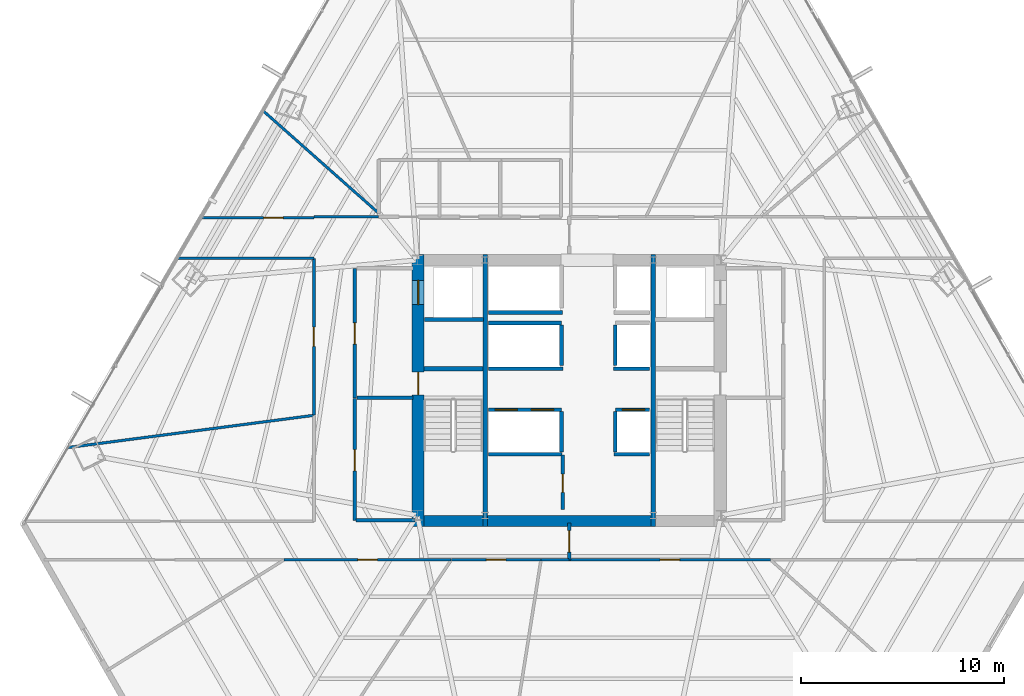
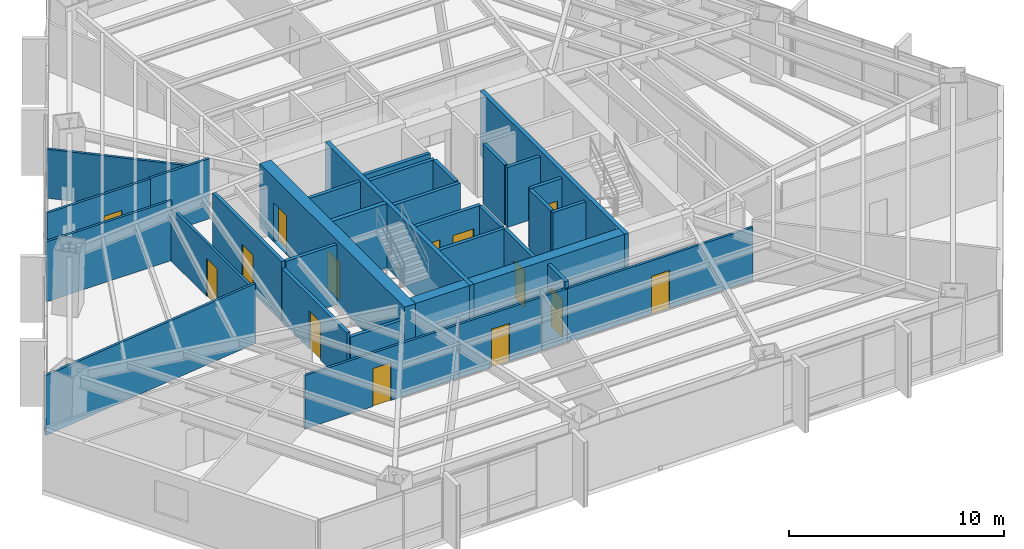
# One storey, part 29 of 34: 35 walls, 14 doors, 14 openings.
"""IFC4 building model written with IfcOpenShell, lengths in metres."""

import ifcopenshell
import ifcopenshell.guid

model = None  # the IFC model being written
_history = None  # IfcOwnerHistory: only IFC2X3 demands one
_inside = {}  # id of a spatial element -> (the spatial element, [elements in it])
_under = {}  # id of a project, library or spatial element -> (it, [spatial elements below it])
_declared = {}  # id of a project -> (the project, [libraries it declares])
_typed = {}  # id of a type object -> (the type object, [elements of that type])
_made_of = {}  # id of a material, layer set ... -> (it, [elements and type objects made of it])


def new_model(schema):
    """Start an empty IFC model of exactly this schema.

    Asked for "IFC4X3", IfcOpenShell would pick the latest addendum, in which some entities
    have other attributes; the version numbers below select the first issue.
    IFC2X3 requires an IfcOwnerHistory on every rooted entity: one is made here for all.
    """
    global model, _history
    if schema == "IFC4X3":
        model = ifcopenshell.file(schema_version=(4, 3, 0, 0))
    else:
        model = ifcopenshell.file(schema=schema)
    _inside.clear()
    _under.clear()
    _declared.clear()
    _typed.clear()
    _made_of.clear()
    _history = None
    if model.schema == "IFC2X3":
        org = make("IfcOrganization", Name="unknown")
        user = make(
            "IfcPersonAndOrganization",
            ThePerson=make("IfcPerson", FamilyName="unknown"),
            TheOrganization=org,
        )
        app = make(
            "IfcApplication",
            ApplicationDeveloper=org,
            Version="unknown",
            ApplicationFullName="unknown",
            ApplicationIdentifier="unknown",
        )
        _history = make(
            "IfcOwnerHistory",
            OwningUser=user,
            OwningApplication=app,
            ChangeAction="ADDED",
            CreationDate=0,
        )
    return model


def make(cls, **values):
    """One entity of the class cls with the attributes given. An attribute that is None is left unset."""
    return model.create_entity(
        cls, **{name: value for name, value in values.items() if value is not None}
    )


def rooted(cls, **values):
    """An entity with a GlobalId (a new one), such as an element, a storey or a relation."""
    return make(cls, GlobalId=ifcopenshell.guid.new(), OwnerHistory=_history, **values)


def si_unit(unit_type, name, prefix=None):
    """IfcSIUnit, for example si_unit("LENGTHUNIT", "METRE", prefix="MILLI")."""
    return make("IfcSIUnit", UnitType=unit_type, Prefix=prefix, Name=name)


def assignment(units):
    """IfcUnitAssignment: the units of a project."""
    return None if units is None else make("IfcUnitAssignment", Units=units)


def point(xyz):
    """IfcCartesianPoint."""
    return None if xyz is None else make("IfcCartesianPoint", Coordinates=xyz)


def direction(xyz):
    """IfcDirection."""
    return None if xyz is None else make("IfcDirection", DirectionRatios=xyz)


def frame(location, z_axis=None, x_axis=None):
    """IfcAxis2Placement3D, a coordinate frame: its origin and axes. An axis left out is left unset."""
    return make(
        "IfcAxis2Placement3D",
        Location=point(location),
        Axis=direction(z_axis),
        RefDirection=direction(x_axis),
    )


def frame_2d(location, x_axis=None):
    """IfcAxis2Placement2D, a coordinate frame in the plane: its origin and x axis."""
    return make(
        "IfcAxis2Placement2D", Location=point(location), RefDirection=direction(x_axis)
    )


def origin():
    """The frame at (0, 0, 0) with its axes left unset."""
    return frame((0.0, 0.0, 0.0))


def place(relative_to, where):
    """IfcLocalPlacement: puts the frame where relative to a parent placement (None: the world)."""
    return make(
        "IfcLocalPlacement", PlacementRelTo=relative_to, RelativePlacement=where
    )


def context(
    kind, dimensions, precision=None, world=None, true_north=None, identifier=None
):
    """IfcGeometricRepresentationContext, for example the 3D "Model" context."""
    return make(
        "IfcGeometricRepresentationContext",
        ContextIdentifier=identifier,
        ContextType=kind,
        CoordinateSpaceDimension=dimensions,
        Precision=precision,
        WorldCoordinateSystem=world,
        TrueNorth=true_north,
    )


def subcontext(parent, identifier, kind, view, scale=None):
    """IfcGeometricRepresentationSubContext, for example "Body" below "Model"."""
    return make(
        "IfcGeometricRepresentationSubContext",
        ContextIdentifier=identifier,
        ContextType=kind,
        ParentContext=parent,
        TargetScale=scale,
        TargetView=view,
    )


def project(units=None, contexts=None):
    """IfcProject with its units and contexts."""
    return rooted(
        "IfcProject",
        Name="project",
        RepresentationContexts=contexts,
        UnitsInContext=assignment(units),
    )


def spatial(cls, under=None, at=None, **own):
    """A site, building, storey or space (cls), placed at a placement, below another one or the project."""
    s = rooted(cls, ObjectPlacement=at, **own)
    if under is not None:
        _under.setdefault(under.id(), (under, []))[1].append(s)
    return s


def profile(cls, at=None, kind="AREA", **sizes):
    """A parametric profile (cls). Its sizes go by their IFC names, for example OverallWidth=200.0."""
    return make(cls, ProfileType=kind, Position=at, **sizes)


def rectangle(**sizes):
    """IfcRectangleProfileDef."""
    return profile("IfcRectangleProfileDef", **sizes)


def extrude(swept, where, along, depth):
    """IfcExtrudedAreaSolid: the profile swept, set in the frame where, extruded along a direction by depth."""
    return make(
        "IfcExtrudedAreaSolid",
        SweptArea=swept,
        Position=where,
        ExtrudedDirection=direction(along),
        Depth=depth,
    )


def shape(context_of_items, identifier, shape_type, items):
    """IfcShapeRepresentation: the items that make up one representation, for example the "Body"."""
    return make(
        "IfcShapeRepresentation",
        ContextOfItems=context_of_items,
        RepresentationIdentifier=identifier,
        RepresentationType=shape_type,
        Items=items,
    )


def material(Name=None, Category=None):
    """IfcMaterial."""
    return make("IfcMaterial", Name=Name, Category=Category)


def layer(
    of_material, thickness, ventilated=None, Name=None, Category=None, Priority=None
):
    """IfcMaterialLayer: one layer of a wall or slab, of a material (None: an air gap)."""
    return make(
        "IfcMaterialLayer",
        Material=of_material,
        LayerThickness=thickness,
        IsVentilated=ventilated,
        Name=Name,
        Category=Category,
        Priority=Priority,
    )


def layer_set(layers, Name=None):
    """IfcMaterialLayerSet."""
    return make("IfcMaterialLayerSet", MaterialLayers=layers, LayerSetName=Name)


def made_of(thing, what):
    """Note that an element or type object is made of a material, layer set ...; save() writes the relation."""
    if what is not None:
        _made_of.setdefault(what.id(), (what, []))[1].append(thing)
    return thing


def type_object(cls, material=None, **own):
    """A type object (cls), such as IfcWallType, which elements share."""
    return made_of(rooted(cls, **own), material)


def element(
    cls,
    number,
    at=None,
    inside=None,
    cuts=None,
    type_object=None,
    material=None,
    context=None,
    identifier="Body",
    shape_type=None,
    held_by="IfcProductDefinitionShape",
    body=None,
    shapes=None,
    **own,
):
    """One element of the class cls, such as IfcWall. Its Tag is "e" and its number.

    at: its placement. inside: the storey or other place that contains it. cuts: it is an
    opening in that element (IfcRelVoidsElement). A single representation is given by context,
    identifier, shape_type and body (its items); several are given by shapes. held_by: the class
    of the entity that holds the representations. save() writes the other relations.
    """
    e = rooted(cls, Tag="e%d" % number, ObjectPlacement=at, **own)
    if body is not None:
        shapes = [shape(context, identifier, shape_type, body)]
    if shapes is not None:
        e.Representation = make(held_by, Representations=shapes)
    if inside is not None:
        _inside.setdefault(inside.id(), (inside, []))[1].append(e)
    if cuts is not None:
        rooted(
            "IfcRelVoidsElement", RelatingBuildingElement=cuts, RelatedOpeningElement=e
        )
    if type_object is not None:
        _typed.setdefault(type_object.id(), (type_object, []))[1].append(e)
    return made_of(e, material)


def fill(opening, filler):
    """IfcRelFillsElement: the door or window that sits in an opening."""
    return rooted(
        "IfcRelFillsElement",
        RelatingOpeningElement=opening,
        RelatedBuildingElement=filler,
    )


def aggregate(whole, parts):
    """IfcRelAggregates: a whole, such as a stair, and the parts it consists of."""
    return rooted("IfcRelAggregates", RelatingObject=whole, RelatedObjects=parts)


def save(model, path):
    """Write the relations noted so far, then the file.

    IfcRelAggregates (storeys below a building ...), IfcRelContainedInSpatialStructure (elements
    in a storey), IfcRelDefinesByType, IfcRelAssociatesMaterial and IfcRelDeclares: one each for
    every whole, place, type object, material and project.
    """
    for whole, parts in _under.values():
        aggregate(whole, parts)
    for where, things in _inside.values():
        rooted(
            "IfcRelContainedInSpatialStructure",
            RelatedElements=things,
            RelatingStructure=where,
        )
    for kind, things in _typed.values():
        rooted("IfcRelDefinesByType", RelatedObjects=things, RelatingType=kind)
    for what, things in _made_of.values():
        rooted("IfcRelAssociatesMaterial", RelatedObjects=things, RelatingMaterial=what)
    for by, libraries in _declared.values():
        rooted("IfcRelDeclares", RelatingContext=by, RelatedDefinitions=libraries)
    model.write(path)


model = new_model("IFC4")

# Units and contexts
model_context = context("Model", 3, precision=1e-05, world=origin(), true_north=direction((0.0, 1.0)))
body_context = subcontext(model_context, "Body", "Model", "MODEL_VIEW")
ifc_project = project(units=[si_unit("LENGTHUNIT", "METRE"), si_unit("AREAUNIT", "SQUARE_METRE"), si_unit("VOLUMEUNIT", "CUBIC_METRE"), si_unit("PLANEANGLEUNIT", "RADIAN"), si_unit("MASSUNIT", "GRAM", prefix="KILO")], contexts=[model_context])

# Site, building, storey
site_placement = place(None, origin())
site = spatial("IfcSite", under=ifc_project, at=site_placement, CompositionType="ELEMENT")
building_placement = place(site_placement, origin())
building = spatial("IfcBuilding", under=site, at=building_placement, Name="Caelisora Broadcast Tower", CompositionType="ELEMENT")
storey_placement = place(building_placement, frame((0.0, 0.0, 49.5)))
storey = spatial("IfcBuildingStorey", under=building, at=storey_placement, Name="L12", CompositionType="ELEMENT", Elevation=49.5)

# Wall, openings, doors
ifc_material_1 = material(Name="Concrete 65 MPa (AS 3600 S65)", Category="concrete")
ifc_layer_1 = layer(ifc_material_1, 0.60009765625, Name="Concrete 65 MPa (AS 3600 S65)")
ifc_layer_set_1 = layer_set([ifc_layer_1], Name="Concrete 65 MPa (AS 3600 S65)")
wall_type_1 = type_object("IfcWallType", Name="CW1", PredefinedType="SHEAR", material=ifc_layer_set_1)
wall_1_placement = place(storey_placement, frame((30.5400390625, 16.85009765625, 0.0), z_axis=(0.0, 0.0, 1.0), x_axis=(0.0, 1.0, 0.0)))
wall_1 = element("IfcWall", 1, at=wall_1_placement, inside=storey, type_object=wall_type_1, Name="L12 core shear wall CW1", PredefinedType="SHEAR", context=body_context, shape_type="SweptSolid", body=[
    extrude(rectangle(XDim=13.4248046875, YDim=0.60009765625, at=frame_2d((6.71240234375, 0.0))), origin(), (0.0, 0.0, 1.0), 3.64990234375),
])
opening_1_placement = place(wall_1_placement, frame((6.5, 0.0, 0.0)))
opening_1 = element("IfcOpeningElement", 2, at=opening_1_placement, cuts=wall_1, Name="Opening FD04", PredefinedType="OPENING", context=body_context, shape_type="SweptSolid", body=[
    extrude(rectangle(XDim=1.1201171875, YDim=2.14990234375, at=frame_2d((0.56005859375, 1.074951171875))), frame((0.0, 0.31201171875, 0.0), z_axis=(0.0, -1.0, 0.0), x_axis=(1.0, 0.0, 0.0)), (0.0, 0.0, 1.0), 0.6240234375),
])
opening_2_placement = place(wall_1_placement, frame((10.949951171875, 0.0, 0.0)))
opening_2 = element("IfcOpeningElement", 3, at=opening_2_placement, cuts=wall_1, Name="Opening LD04", PredefinedType="OPENING", context=body_context, shape_type="SweptSolid", body=[
    extrude(rectangle(XDim=1.199951171875, YDim=2.199951171875, at=frame_2d((0.60009765625, 1.10009765625))), frame((0.0, 0.31201171875, 0.0), z_axis=(0.0, -1.0, 0.0), x_axis=(1.0, 0.0, 0.0)), (0.0, 0.0, 1.0), 0.6240234375),
])
ifc_material_2 = material(Name="Pressurised Fire-Isolated Stair Door", Category="steel")
door_type_1 = type_object("IfcDoorType", Name="FD04", OperationType="NOTDEFINED", PredefinedType="DOOR", material=ifc_material_2)
door_1_placement = place(opening_1_placement, origin())
door_1 = element("IfcDoor", 4, at=door_1_placement, inside=storey, type_object=door_type_1, Name="L12 door FD04 (L12-DR-ST1)", OperationType="SINGLE_SWING_LEFT", OverallHeight=2.14990234375, OverallWidth=1.1201171875, PredefinedType="DOOR", context=body_context, shape_type="SweptSolid", body=[
    extrude(rectangle(XDim=1.1201171875, YDim=2.14990234375, at=frame_2d((0.56005859375, 1.074951171875))), frame((0.0, 0.02490234375, 0.0), z_axis=(0.0, -1.0, 0.0), x_axis=(1.0, 0.0, 0.0)), (0.0, 0.0, 1.0), 0.050048828125),
])
fill(opening_1, door_1)
ifc_material_3 = material(Name="Emergency Firefighting Lift Sliding Landing Door", Category="steel")
door_type_2 = type_object("IfcDoorType", Name="LD04", OperationType="NOTDEFINED", PredefinedType="DOOR", material=ifc_material_3)
door_2_placement = place(opening_2_placement, origin())
door_2 = element("IfcDoor", 5, at=door_2_placement, inside=storey, type_object=door_type_2, Name="L12 door LD04 (L12-LD-FFL1)", OperationType="SLIDING_TO_LEFT", OverallHeight=2.199951171875, OverallWidth=1.199951171875, PredefinedType="DOOR", context=body_context, shape_type="SweptSolid", body=[
    extrude(rectangle(XDim=1.199951171875, YDim=2.199951171875, at=frame_2d((0.60009765625, 1.10009765625))), frame((0.0, 0.02490234375, 0.0), z_axis=(0.0, -1.0, 0.0), x_axis=(1.0, 0.0, 0.0)), (0.0, 0.0, 1.0), 0.050048828125),
])
fill(opening_2, door_2)

# Walls
ifc_layer_2 = layer(ifc_material_1, 0.550048828125, Name="Concrete 65 MPa (AS 3600 S65)")
ifc_layer_set_2 = layer_set([ifc_layer_2], Name="Concrete 65 MPa (AS 3600 S65)")
wall_type_2 = type_object("IfcWallType", Name="CW4", PredefinedType="SHEAR", material=ifc_layer_set_2)
wall_2_placement = place(storey_placement, frame((30.840087890625, 17.125, 0.0), z_axis=(0.0, 0.0, 1.0), x_axis=(1.0, 0.0, 0.0)))
element("IfcWall", 6, at=wall_2_placement, inside=storey, type_object=wall_type_2, Name="L12 core shear wall CW4", PredefinedType="SHEAR", context=body_context, shape_type="SweptSolid", body=[
    extrude(rectangle(XDim=2.89990234375, YDim=0.550048828125, at=frame_2d((1.449951171875, 0.0))), origin(), (0.0, 0.0, 1.0), 3.64990234375),
])
wall_3_placement = place(storey_placement, frame((33.9599609375, 17.125, 0.0), z_axis=(0.0, 0.0, 1.0), x_axis=(1.0, 0.0, 0.0)))
element("IfcWall", 7, at=wall_3_placement, inside=storey, type_object=wall_type_2, Name="L12 core shear wall CW4", PredefinedType="SHEAR", context=body_context, shape_type="SweptSolid", body=[
    extrude(rectangle(XDim=8.080078125, YDim=0.550048828125, at=frame_2d((4.0400390625, 0.0))), origin(), (0.0, 0.0, 1.0), 3.64990234375),
])
ifc_material_4 = material(Name="Concrete 50 MPa (AS 3600 S50)", Category="concrete")
ifc_layer_3 = layer(ifc_material_4, 0.219970703125, Name="Concrete 50 MPa (AS 3600 S50)")
ifc_layer_set_3 = layer_set([ifc_layer_3], Name="Concrete 50 MPa (AS 3600 S50)")
wall_type_3 = type_object("IfcWallType", Name="CW7", PredefinedType="SHEAR", material=ifc_layer_set_3)
for number, where, z_axis, x_axis, name in (
    (8, (33.85009765625, 16.85009765625, 0.0), (0.0, 0.0, 1.0), (0.0, 1.0, 0.0), "L12 core shear wall CW7"),
    (9, (42.14990234375, 16.85009765625, 0.0), (0.0, 0.0, 1.0), (0.0, 1.0, 0.0), "L12 core shear wall CW7"),
):
    element("IfcWall", number, at=place(storey_placement, frame(where, z_axis=z_axis, x_axis=x_axis)), inside=storey, type_object=wall_type_3, Name=name, PredefinedType="SHEAR", context=body_context, shape_type="SweptSolid", body=[
        extrude(rectangle(XDim=13.4248046875, YDim=0.219970703125, at=frame_2d((6.71240234375, 0.0))), origin(), (0.0, 0.0, 1.0), 3.64990234375),
    ])
wall_4_placement = place(storey_placement, frame((30.840087890625, 24.639892578125, 0.0), z_axis=(0.0, 0.0, 1.0), x_axis=(1.0, 0.0, 0.0)))
element("IfcWall", 10, at=wall_4_placement, inside=storey, type_object=wall_type_3, Name="L12 core shear wall CW7", PredefinedType="SHEAR", context=body_context, shape_type="SweptSolid", body=[
    extrude(rectangle(XDim=2.89990234375, YDim=0.219970703125, at=frame_2d((1.449951171875, 0.0))), origin(), (0.0, 0.0, 1.0), 3.64990234375),
])

# Wall, openings, doors
ifc_material_5 = material(Name="Fire-Rated Gypsum Shaft and Compartment Wall", Category="gypsum")
ifc_layer_4 = layer(ifc_material_5, 0.179931640625, Name="Fire-Rated Gypsum Shaft and Compartment Wall")
ifc_layer_set_4 = layer_set([ifc_layer_4], Name="Fire-Rated Gypsum Shaft and Compartment Wall")
wall_type_4 = type_object("IfcWallType", Name="PW2", PredefinedType="PARTITIONING", material=ifc_layer_set_4)
wall_5_placement = place(storey_placement, frame((34.02001953125, 22.6201171875, 0.0), z_axis=(0.0, 0.0, 1.0), x_axis=(1.0, 0.0, 0.0)))
wall_5 = element("IfcWall", 11, at=wall_5_placement, inside=storey, type_object=wall_type_4, Name="L12 fire compartment wall PW2", PredefinedType="PARTITIONING", context=body_context, shape_type="SweptSolid", body=[
    extrude(rectangle(XDim=3.60009765625, YDim=0.179931640625, at=frame_2d((1.800048828125, 0.0))), origin(), (0.0, 0.0, 1.0), 3.39990234375),
])
opening_3_placement = place(wall_5_placement, frame((0.320068359375, 0.0, 0.0)))
opening_3 = element("IfcOpeningElement", 12, at=opening_3_placement, cuts=wall_5, Name="Opening LD01", PredefinedType="OPENING", context=body_context, shape_type="SweptSolid", body=[
    extrude(rectangle(XDim=1.10009765625, YDim=2.199951171875, at=frame_2d((0.550048828125, 1.10009765625))), frame((0.0, 0.10205078125, 0.0), z_axis=(0.0, -1.0, 0.0), x_axis=(1.0, 0.0, 0.0)), (0.0, 0.0, 1.0), 0.203857421875),
])
opening_4_placement = place(wall_5_placement, frame((2.1201171875, 0.0, 0.0)))
opening_4 = element("IfcOpeningElement", 13, at=opening_4_placement, cuts=wall_5, Name="Opening LD01", PredefinedType="OPENING", context=body_context, shape_type="SweptSolid", body=[
    extrude(rectangle(XDim=1.10009765625, YDim=2.199951171875, at=frame_2d((0.550048828125, 1.10009765625))), frame((0.0, 0.10205078125, 0.0), z_axis=(0.0, -1.0, 0.0), x_axis=(1.0, 0.0, 0.0)), (0.0, 0.0, 1.0), 0.203857421875),
])
ifc_material_6 = material(Name="Stainless Steel Centre-Parting Lift Landing Door", Category="steel")
door_type_3 = type_object("IfcDoorType", Name="LD01", OperationType="NOTDEFINED", PredefinedType="DOOR", material=ifc_material_6)
door_3_placement = place(opening_3_placement, origin())
door_3 = element("IfcDoor", 14, at=door_3_placement, inside=storey, type_object=door_type_3, Name="L12 door LD01 (L12-LD-PLL1)", OperationType="SLIDING_TO_LEFT", OverallHeight=2.199951171875, OverallWidth=1.10009765625, PredefinedType="DOOR", context=body_context, shape_type="SweptSolid", body=[
    extrude(rectangle(XDim=1.10009765625, YDim=2.199951171875, at=frame_2d((0.550048828125, 1.10009765625))), frame((0.0, 0.02490234375, 0.0), z_axis=(0.0, -1.0, 0.0), x_axis=(1.0, 0.0, 0.0)), (0.0, 0.0, 1.0), 0.050048828125),
])
fill(opening_3, door_3)
door_4_placement = place(opening_4_placement, origin())
door_4 = element("IfcDoor", 15, at=door_4_placement, inside=storey, type_object=door_type_3, Name="L12 door LD01 (L12-LD-PLL2)", OperationType="SLIDING_TO_RIGHT", OverallHeight=2.199951171875, OverallWidth=1.10009765625, PredefinedType="DOOR", context=body_context, shape_type="SweptSolid", body=[
    extrude(rectangle(XDim=1.10009765625, YDim=2.199951171875, at=frame_2d((0.550048828125, 1.10009765625))), frame((0.0, 0.02490234375, 0.0), z_axis=(0.0, -1.0, 0.0), x_axis=(1.0, 0.0, 0.0)), (0.0, 0.0, 1.0), 0.050048828125),
])
fill(opening_4, door_4)

# Wall, opening, door
wall_6_placement = place(storey_placement, frame((40.280029296875, 22.6201171875, 0.0), z_axis=(0.0, 0.0, 1.0), x_axis=(1.0, 0.0, 0.0)))
wall_6 = element("IfcWall", 16, at=wall_6_placement, inside=storey, type_object=wall_type_4, Name="L12 fire compartment wall PW2", PredefinedType="PARTITIONING", context=body_context, shape_type="SweptSolid", body=[
    extrude(rectangle(XDim=1.699951171875, YDim=0.179931640625, at=frame_2d((0.85009765625, 0.0))), origin(), (0.0, 0.0, 1.0), 3.39990234375),
])
opening_5_placement = place(wall_6_placement, frame((0.35009765625, 0.0, 0.0)))
opening_5 = element("IfcOpeningElement", 17, at=opening_5_placement, cuts=wall_6, Name="Opening LD01", PredefinedType="OPENING", context=body_context, shape_type="SweptSolid", body=[
    extrude(rectangle(XDim=1.10009765625, YDim=2.199951171875, at=frame_2d((0.550048828125, 1.10009765625))), frame((0.0, 0.10205078125, 0.0), z_axis=(0.0, -1.0, 0.0), x_axis=(1.0, 0.0, 0.0)), (0.0, 0.0, 1.0), 0.203857421875),
])
door_5_placement = place(opening_5_placement, origin())
door_5 = element("IfcDoor", 18, at=door_5_placement, inside=storey, type_object=door_type_3, Name="L12 door LD01 (L12-LD-PLL3)", OperationType="SLIDING_TO_LEFT", OverallHeight=2.199951171875, OverallWidth=1.10009765625, PredefinedType="DOOR", context=body_context, shape_type="SweptSolid", body=[
    extrude(rectangle(XDim=1.10009765625, YDim=2.199951171875, at=frame_2d((0.550048828125, 1.10009765625))), frame((0.0, 0.02490234375, 0.0), z_axis=(0.0, -1.0, 0.0), x_axis=(1.0, 0.0, 0.0)), (0.0, 0.0, 1.0), 0.050048828125),
])
fill(opening_5, door_5)

# Walls
for number, where, z_axis, x_axis, name in (
    (19, (37.6201171875, 20.52001953125, 0.0), (0.0, 0.0, 1.0), (0.0, 1.0, 0.0), "L12 fire compartment wall PW2"),
    (20, (40.280029296875, 20.52001953125, 0.0), (0.0, 0.0, 1.0), (0.0, 1.0, 0.0), "L12 fire compartment wall PW2"),
):
    element("IfcWall", number, at=place(storey_placement, frame(where, z_axis=z_axis, x_axis=x_axis)), inside=storey, type_object=wall_type_4, Name=name, PredefinedType="PARTITIONING", context=body_context, shape_type="SweptSolid", body=[
        extrude(rectangle(XDim=2.0, YDim=0.179931640625, at=frame_2d((1.0, 0.0))), origin(), (0.0, 0.0, 1.0), 3.39990234375),
    ])
wall_7_placement = place(storey_placement, frame((34.02001953125, 26.89990234375, 0.0), z_axis=(0.0, 0.0, 1.0), x_axis=(1.0, 0.0, 0.0)))
element("IfcWall", 21, at=wall_7_placement, inside=storey, type_object=wall_type_4, Name="L12 fire compartment wall PW2", PredefinedType="PARTITIONING", context=body_context, shape_type="SweptSolid", body=[
    extrude(rectangle(XDim=3.60009765625, YDim=0.179931640625, at=frame_2d((1.800048828125, 0.0))), origin(), (0.0, 0.0, 1.0), 3.39990234375),
])
for number, where, z_axis, x_axis, name in (
    (22, (37.6201171875, 24.800048828125, 0.0), (0.0, 0.0, 1.0), (0.0, 1.0, 0.0), "L12 fire compartment wall PW2"),
    (23, (40.280029296875, 24.800048828125, 0.0), (0.0, 0.0, 1.0), (0.0, 1.0, 0.0), "L12 fire compartment wall PW2"),
):
    element("IfcWall", number, at=place(storey_placement, frame(where, z_axis=z_axis, x_axis=x_axis)), inside=storey, type_object=wall_type_4, Name=name, PredefinedType="PARTITIONING", context=body_context, shape_type="SweptSolid", body=[
        extrude(rectangle(XDim=2.0, YDim=0.179931640625, at=frame_2d((1.0, 0.0))), origin(), (0.0, 0.0, 1.0), 3.39990234375),
    ])
wall_8_placement = place(storey_placement, frame((34.02001953125, 24.639892578125, 0.0), z_axis=(0.0, 0.0, 1.0), x_axis=(1.0, 0.0, 0.0)))
element("IfcWall", 24, at=wall_8_placement, inside=storey, type_object=wall_type_4, Name="L12 fire compartment wall PW2", PredefinedType="PARTITIONING", context=body_context, shape_type="SweptSolid", body=[
    extrude(rectangle(XDim=3.679931640625, YDim=0.179931640625, at=frame_2d((1.83984375, 0.0))), origin(), (0.0, 0.0, 1.0), 3.39990234375),
])
wall_9_placement = place(storey_placement, frame((40.199951171875, 24.639892578125, 0.0), z_axis=(0.0, 0.0, 1.0), x_axis=(1.0, 0.0, 0.0)))
element("IfcWall", 25, at=wall_9_placement, inside=storey, type_object=wall_type_4, Name="L12 fire compartment wall PW2", PredefinedType="PARTITIONING", context=body_context, shape_type="SweptSolid", body=[
    extrude(rectangle(XDim=1.780029296875, YDim=0.179931640625, at=frame_2d((0.89013671875, 0.0))), origin(), (0.0, 0.0, 1.0), 3.39990234375),
])
wall_10_placement = place(storey_placement, frame((34.02001953125, 27.419921875, 0.0), z_axis=(0.0, 0.0, 1.0), x_axis=(1.0, 0.0, 0.0)))
element("IfcWall", 26, at=wall_10_placement, inside=storey, type_object=wall_type_4, Name="L12 fire compartment wall PW2", PredefinedType="PARTITIONING", context=body_context, shape_type="SweptSolid", body=[
    extrude(rectangle(XDim=3.659912109375, YDim=0.179931640625, at=frame_2d((1.830078125, 0.0))), origin(), (0.0, 0.0, 1.0), 3.39990234375),
])

# Wall, opening, door
wall_11_placement = place(storey_placement, frame((27.419921875, 23.199951171875, 0.0), z_axis=(0.0, 0.0, 1.0), x_axis=(0.0, 1.0, 0.0)))
wall_11 = element("IfcWall", 27, at=wall_11_placement, inside=storey, type_object=wall_type_4, Name="L12 fire compartment wall PW2", PredefinedType="PARTITIONING", context=body_context, shape_type="SweptSolid", body=[
    extrude(rectangle(XDim=6.400146484375, YDim=0.179931640625, at=frame_2d((3.2001953125, 0.0))), origin(), (0.0, 0.0, 1.0), 3.39990234375),
])
opening_6_placement = place(wall_11_placement, frame((2.64990234375, 0.0, 0.0)))
opening_6 = element("IfcOpeningElement", 28, at=opening_6_placement, cuts=wall_11, Name="Opening FD02", PredefinedType="OPENING", context=body_context, shape_type="SweptSolid", body=[
    extrude(rectangle(XDim=1.050048828125, YDim=2.14990234375, at=frame_2d((0.52490234375, 1.074951171875))), frame((0.0, 0.10205078125, 0.0), z_axis=(0.0, -1.0, 0.0), x_axis=(1.0, 0.0, 0.0)), (0.0, 0.0, 1.0), 0.203857421875),
])
ifc_material_7 = material(Name="Single-Leaf Steel Fire Lobby Door", Category="steel")
door_type_4 = type_object("IfcDoorType", Name="FD02", OperationType="NOTDEFINED", PredefinedType="DOOR", material=ifc_material_7)
door_6_placement = place(opening_6_placement, origin())
door_6 = element("IfcDoor", 29, at=door_6_placement, inside=storey, type_object=door_type_4, Name="L12 door FD02 (L12-DR-P01D1)", OperationType="SINGLE_SWING_LEFT", OverallHeight=2.14990234375, OverallWidth=1.050048828125, PredefinedType="DOOR", context=body_context, shape_type="SweptSolid", body=[
    extrude(rectangle(XDim=1.050048828125, YDim=2.14990234375, at=frame_2d((0.52490234375, 1.074951171875))), frame((0.0, 0.02490234375, 0.0), z_axis=(0.0, -1.0, 0.0), x_axis=(1.0, 0.0, 0.0)), (0.0, 0.0, 1.0), 0.050048828125),
])
fill(opening_6, door_6)

# Walls
wall_12_placement = place(storey_placement, frame((27.52001953125, 23.199951171875, 0.0), z_axis=(0.0, 0.0, 1.0), x_axis=(1.0, 0.0, 0.0)))
element("IfcWall", 30, at=wall_12_placement, inside=storey, type_object=wall_type_4, Name="L12 fire compartment wall PW2", PredefinedType="PARTITIONING", context=body_context, shape_type="SweptSolid", body=[
    extrude(rectangle(XDim=2.760009765625, YDim=0.179931640625, at=frame_2d((1.3798828125, 0.0))), origin(), (0.0, 0.0, 1.0), 3.39990234375),
])
wall_13_placement = place(storey_placement, frame((30.860107421875, 27.070068359375, 0.0), z_axis=(0.0, 0.0, 1.0), x_axis=(1.0, 0.0, 0.0)))
element("IfcWall", 31, at=wall_13_placement, inside=storey, type_object=wall_type_4, Name="L12 fire compartment wall PW2", PredefinedType="PARTITIONING", context=body_context, shape_type="SweptSolid", body=[
    extrude(rectangle(XDim=2.89990234375, YDim=0.179931640625, at=frame_2d((1.449951171875, 0.0))), origin(), (0.0, 0.0, 1.0), 3.39990234375),
])
wall_14_placement = place(storey_placement, frame((34.02001953125, 20.419921875, 0.0), z_axis=(0.0, 0.0, 1.0), x_axis=(1.0, 0.0, 0.0)))
element("IfcWall", 32, at=wall_14_placement, inside=storey, type_object=wall_type_4, Name="L12 fire compartment wall PW2", PredefinedType="PARTITIONING", context=body_context, shape_type="SweptSolid", body=[
    extrude(rectangle(XDim=3.639892578125, YDim=0.179931640625, at=frame_2d((1.81982421875, 0.0))), origin(), (0.0, 0.0, 1.0), 3.39990234375),
])
wall_15_placement = place(storey_placement, frame((40.219970703125, 20.419921875, 0.0), z_axis=(0.0, 0.0, 1.0), x_axis=(1.0, 0.0, 0.0)))
element("IfcWall", 33, at=wall_15_placement, inside=storey, type_object=wall_type_4, Name="L12 fire compartment wall PW2", PredefinedType="PARTITIONING", context=body_context, shape_type="SweptSolid", body=[
    extrude(rectangle(XDim=1.760009765625, YDim=0.179931640625, at=frame_2d((0.8798828125, 0.0))), origin(), (0.0, 0.0, 1.0), 3.39990234375),
])

# Wall, opening, door
wall_16_placement = place(storey_placement, frame((37.679931640625, 17.679931640625, 0.0), z_axis=(0.0, 0.0, 1.0), x_axis=(0.0, 1.0, 0.0)))
wall_16 = element("IfcWall", 34, at=wall_16_placement, inside=storey, type_object=wall_type_4, Name="L12 fire compartment wall PW2", PredefinedType="PARTITIONING", context=body_context, shape_type="SweptSolid", body=[
    extrude(rectangle(XDim=2.699951171875, YDim=0.179931640625, at=frame_2d((1.35009765625, 0.0))), origin(), (0.0, 0.0, 1.0), 3.39990234375),
])
opening_7_placement = place(wall_16_placement, frame((0.85009765625, 0.0, 0.0)))
opening_7 = element("IfcOpeningElement", 35, at=opening_7_placement, cuts=wall_16, Name="Opening FD03", PredefinedType="OPENING", context=body_context, shape_type="SweptSolid", body=[
    extrude(rectangle(XDim=0.89990234375, YDim=2.10009765625, at=frame_2d((0.449951171875, 1.050048828125))), frame((0.0, 0.10205078125, 0.0), z_axis=(0.0, -1.0, 0.0), x_axis=(1.0, 0.0, 0.0)), (0.0, 0.0, 1.0), 0.203857421875),
])
ifc_material_8 = material(Name="Single-Leaf Steel Riser Fire Access Door", Category="steel")
door_type_5 = type_object("IfcDoorType", Name="FD03", OperationType="NOTDEFINED", PredefinedType="DOOR", material=ifc_material_8)
door_7_placement = place(opening_7_placement, origin())
door_7 = element("IfcDoor", 36, at=door_7_placement, inside=storey, type_object=door_type_5, Name="L12 door FD03 (L12-DR-P11D1)", OperationType="SINGLE_SWING_LEFT", OverallHeight=2.10009765625, OverallWidth=0.89990234375, PredefinedType="DOOR", context=body_context, shape_type="SweptSolid", body=[
    extrude(rectangle(XDim=0.89990234375, YDim=2.10009765625, at=frame_2d((0.449951171875, 1.050048828125))), frame((0.0, 0.02490234375, 0.0), z_axis=(0.0, -1.0, 0.0), x_axis=(1.0, 0.0, 0.0)), (0.0, 0.0, 1.0), 0.050048828125),
])
fill(opening_7, door_7)

wall_17_placement = place(storey_placement, frame((27.419921875, 17.14990234375, 0.0), z_axis=(0.0, 0.0, 1.0), x_axis=(0.0, 1.0, 0.0)))
wall_17 = element("IfcWall", 37, at=wall_17_placement, inside=storey, type_object=wall_type_4, Name="L12 fire compartment wall PW2", PredefinedType="PARTITIONING", context=body_context, shape_type="SweptSolid", body=[
    extrude(rectangle(XDim=6.030029296875, YDim=0.179931640625, at=frame_2d((3.01513671875, 0.0))), origin(), (0.0, 0.0, 1.0), 3.0263671875),
])
opening_8_placement = place(wall_17_placement, frame((2.449951171875, 0.0, 0.0)))
opening_8 = element("IfcOpeningElement", 38, at=opening_8_placement, cuts=wall_17, Name="Opening FD02", PredefinedType="OPENING", context=body_context, shape_type="SweptSolid", body=[
    extrude(rectangle(XDim=1.050048828125, YDim=2.14990234375, at=frame_2d((0.52490234375, 1.074951171875))), frame((0.0, 0.10205078125, 0.0), z_axis=(0.0, -1.0, 0.0), x_axis=(1.0, 0.0, 0.0)), (0.0, 0.0, 1.0), 0.203857421875),
])
door_8_placement = place(opening_8_placement, origin())
door_8 = element("IfcDoor", 39, at=door_8_placement, inside=storey, type_object=door_type_4, Name="L12 door FD02 (L12-DR-P12D1)", OperationType="SINGLE_SWING_RIGHT", OverallHeight=2.14990234375, OverallWidth=1.050048828125, PredefinedType="DOOR", context=body_context, shape_type="SweptSolid", body=[
    extrude(rectangle(XDim=1.050048828125, YDim=2.14990234375, at=frame_2d((0.52490234375, 1.074951171875))), frame((0.0, 0.02490234375, 0.0), z_axis=(0.0, -1.0, 0.0), x_axis=(1.0, 0.0, 0.0)), (0.0, 0.0, 1.0), 0.050048828125),
])
fill(opening_8, door_8)

# Wall
wall_18_placement = place(storey_placement, frame((27.47998046875, 17.14990234375, 0.0), z_axis=(0.0, 0.0, 1.0), x_axis=(1.0, 0.0, 0.0)))
element("IfcWall", 40, at=wall_18_placement, inside=storey, type_object=wall_type_4, Name="L12 fire compartment wall PW2", PredefinedType="PARTITIONING", context=body_context, shape_type="SweptSolid", body=[
    extrude(rectangle(XDim=2.89990234375, YDim=0.179931640625, at=frame_2d((1.449951171875, 0.0))), origin(), (0.0, 0.0, 1.0), 2.78271484375),
])

# Wall, opening, door
wall_19_placement = place(storey_placement, frame((38.0, 15.205078125, 0.0), z_axis=(0.0, 0.0, 1.0), x_axis=(0.0, 1.0, 0.0)))
wall_19 = element("IfcWall", 41, at=wall_19_placement, inside=storey, type_object=wall_type_4, Name="L12 fire compartment wall PW2", PredefinedType="PARTITIONING", context=body_context, shape_type="SweptSolid", body=[
    extrude(rectangle(XDim=1.81982421875, YDim=0.179931640625, at=frame_2d((0.909912109375, 0.0))), origin(), (0.0, 0.0, 1.0), 3.39990234375),
])
opening_9_placement = place(wall_19_placement, frame((0.385009765625, 0.0, 0.0)))
opening_9 = element("IfcOpeningElement", 42, at=opening_9_placement, cuts=wall_19, Name="Opening FD02", PredefinedType="OPENING", context=body_context, shape_type="SweptSolid", body=[
    extrude(rectangle(XDim=1.050048828125, YDim=2.14990234375, at=frame_2d((0.52490234375, 1.074951171875))), frame((0.0, 0.10205078125, 0.0), z_axis=(0.0, -1.0, 0.0), x_axis=(1.0, 0.0, 0.0)), (0.0, 0.0, 1.0), 0.203857421875),
])
door_9_placement = place(opening_9_placement, origin())
door_9 = element("IfcDoor", 43, at=door_9_placement, inside=storey, type_object=door_type_4, Name="L12 door FD02 (L12-DR-P55D1)", OperationType="SINGLE_SWING_LEFT", OverallHeight=2.14990234375, OverallWidth=1.050048828125, PredefinedType="DOOR", context=body_context, shape_type="SweptSolid", body=[
    extrude(rectangle(XDim=1.050048828125, YDim=2.14990234375, at=frame_2d((0.52490234375, 1.074951171875))), frame((0.0, 0.02490234375, 0.0), z_axis=(0.0, -1.0, 0.0), x_axis=(1.0, 0.0, 0.0)), (0.0, 0.0, 1.0), 0.050048828125),
])
fill(opening_9, door_9)

# Wall
ifc_material_9 = material(Name="Acoustic Steel-Stud Plasterboard Partition", Category="gypsum")
ifc_layer_5 = layer(ifc_material_9, 0.1298828125, Name="Acoustic Steel-Stud Plasterboard Partition")
ifc_layer_set_5 = layer_set([ifc_layer_5], Name="Acoustic Steel-Stud Plasterboard Partition")
wall_type_5 = type_object("IfcWallType", Name="PW3", PredefinedType="PARTITIONING", material=ifc_layer_set_5)
wall_20_placement = place(storey_placement, frame((13.24658203125, 20.74658203125, 0.0), z_axis=(0.0, 0.0, 1.0), x_axis=(0.991516983449, 0.129977196202, 0.0)))
element("IfcWall", 44, at=wall_20_placement, inside=storey, type_object=wall_type_5, Name="L12 internal partition PW3", PredefinedType="PARTITIONING", context=body_context, shape_type="SweptSolid", body=[
    extrude(rectangle(XDim=12.25244140625, YDim=0.1298828125, at=frame_2d((6.126220703125, 0.0))), origin(), (0.0, 0.0, 1.0), 3.39990234375),
])

# Wall, opening, door
wall_21_placement = place(storey_placement, frame((38.0048828125, 15.199951171875, 0.0), z_axis=(0.0, 0.0, 1.0), x_axis=(1.0, 0.0, 0.0)))
wall_21 = element("IfcWall", 45, at=wall_21_placement, inside=storey, type_object=wall_type_5, Name="L12 internal partition PW3", PredefinedType="PARTITIONING", context=body_context, shape_type="SweptSolid", body=[
    extrude(rectangle(XDim=9.940185546875, YDim=0.1298828125, at=frame_2d((4.97021484375, 0.0))), origin(), (0.0, 0.0, 1.0), 3.0263671875),
])
opening_10_placement = place(wall_21_placement, frame((4.489990234375, 0.0, 0.0)))
opening_10 = element("IfcOpeningElement", 46, at=opening_10_placement, cuts=wall_21, Name="Opening D01", PredefinedType="OPENING", context=body_context, shape_type="SweptSolid", body=[
    extrude(rectangle(XDim=0.9599609375, YDim=2.14990234375, at=frame_2d((0.47998046875, 1.074951171875))), frame((0.0, 0.076904296875, 0.0), z_axis=(0.0, -1.0, 0.0), x_axis=(1.0, 0.0, 0.0)), (0.0, 0.0, 1.0), 0.15380859375),
])
ifc_material_10 = material(Name="Solid-Core Timber Acoustic Office Door", Category="wood")
door_type_6 = type_object("IfcDoorType", Name="D01", OperationType="NOTDEFINED", PredefinedType="DOOR", material=ifc_material_10)
door_10_placement = place(opening_10_placement, origin())
door_10 = element("IfcDoor", 47, at=door_10_placement, inside=storey, type_object=door_type_6, Name="L12 door D01 (L12-DR-P40D1)", OperationType="SINGLE_SWING_LEFT", OverallHeight=2.14990234375, OverallWidth=0.9599609375, PredefinedType="DOOR", context=body_context, shape_type="SweptSolid", body=[
    extrude(rectangle(XDim=0.9599609375, YDim=2.14990234375, at=frame_2d((0.47998046875, 1.074951171875))), frame((0.0, 0.02490234375, 0.0), z_axis=(0.0, -1.0, 0.0), x_axis=(1.0, 0.0, 0.0)), (0.0, 0.0, 1.0), 0.050048828125),
])
fill(opening_10, door_10)

wall_22_placement = place(storey_placement, frame((23.925048828125, 15.199951171875, 0.0), z_axis=(0.0, 0.0, 1.0), x_axis=(1.0, 0.0, 0.0)))
wall_22 = element("IfcWall", 48, at=wall_22_placement, inside=storey, type_object=wall_type_5, Name="L12 internal partition PW3", PredefinedType="PARTITIONING", context=body_context, shape_type="SweptSolid", body=[
    extrude(rectangle(XDim=8.25, YDim=0.1298828125, at=frame_2d((4.125, 0.0))), origin(), (0.0, 0.0, 1.0), 3.0263671875),
])
opening_11_placement = place(wall_22_placement, frame((3.64501953125, 0.0, 0.0)))
opening_11 = element("IfcOpeningElement", 49, at=opening_11_placement, cuts=wall_22, Name="Opening D01", PredefinedType="OPENING", context=body_context, shape_type="SweptSolid", body=[
    extrude(rectangle(XDim=0.9599609375, YDim=2.14990234375, at=frame_2d((0.47998046875, 1.074951171875))), frame((0.0, 0.076904296875, 0.0), z_axis=(0.0, -1.0, 0.0), x_axis=(1.0, 0.0, 0.0)), (0.0, 0.0, 1.0), 0.15380859375),
])
door_11_placement = place(opening_11_placement, origin())
door_11 = element("IfcDoor", 50, at=door_11_placement, inside=storey, type_object=door_type_6, Name="L12 door D01 (L12-DR-P41D1)", OperationType="SINGLE_SWING_RIGHT", OverallHeight=2.14990234375, OverallWidth=0.9599609375, PredefinedType="DOOR", context=body_context, shape_type="SweptSolid", body=[
    extrude(rectangle(XDim=0.9599609375, YDim=2.14990234375, at=frame_2d((0.47998046875, 1.074951171875))), frame((0.0, 0.02490234375, 0.0), z_axis=(0.0, -1.0, 0.0), x_axis=(1.0, 0.0, 0.0)), (0.0, 0.0, 1.0), 0.050048828125),
])
fill(opening_11, door_11)

wall_23_placement = place(storey_placement, frame((25.39990234375, 22.344970703125, 0.0), z_axis=(0.0, 0.0, 1.0), x_axis=(0.0, 1.0, 0.0)))
wall_23 = element("IfcWall", 51, at=wall_23_placement, inside=storey, type_object=wall_type_5, Name="L12 internal partition PW3", PredefinedType="PARTITIONING", context=body_context, shape_type="SweptSolid", body=[
    extrude(rectangle(XDim=7.75, YDim=0.1298828125, at=frame_2d((3.875, 0.0))), origin(), (0.0, 0.0, 1.0), 3.0263671875),
])
opening_12_placement = place(wall_23_placement, frame((3.39501953125, 0.0, 0.0)))
opening_12 = element("IfcOpeningElement", 52, at=opening_12_placement, cuts=wall_23, Name="Opening D01", PredefinedType="OPENING", context=body_context, shape_type="SweptSolid", body=[
    extrude(rectangle(XDim=0.9599609375, YDim=2.14990234375, at=frame_2d((0.47998046875, 1.074951171875))), frame((0.0, 0.076904296875, 0.0), z_axis=(0.0, -1.0, 0.0), x_axis=(1.0, 0.0, 0.0)), (0.0, 0.0, 1.0), 0.15380859375),
])
door_12_placement = place(opening_12_placement, origin())
door_12 = element("IfcDoor", 53, at=door_12_placement, inside=storey, type_object=door_type_6, Name="L12 door D01 (L12-DR-P42D1)", OperationType="SINGLE_SWING_LEFT", OverallHeight=2.14990234375, OverallWidth=0.9599609375, PredefinedType="DOOR", context=body_context, shape_type="SweptSolid", body=[
    extrude(rectangle(XDim=0.9599609375, YDim=2.14990234375, at=frame_2d((0.47998046875, 1.074951171875))), frame((0.0, 0.02490234375, 0.0), z_axis=(0.0, -1.0, 0.0), x_axis=(1.0, 0.0, 0.0)), (0.0, 0.0, 1.0), 0.050048828125),
])
fill(opening_12, door_12)

# Walls
wall_24_placement = place(storey_placement, frame((22.91064453125, 37.357421875, 0.0), z_axis=(0.0, 0.0, 1.0), x_axis=(0.748662033745, -0.662951852873, 0.0)))
element("IfcWall", 54, at=wall_24_placement, inside=storey, type_object=wall_type_5, Name="L12 internal partition PW3", PredefinedType="PARTITIONING", context=body_context, shape_type="SweptSolid", body=[
    extrude(rectangle(XDim=7.593994140625, YDim=0.1298828125, at=frame_2d((3.796875, 0.0))), origin(), (0.0, 0.0, 1.0), 2.78271484375),
])
wall_25_placement = place(storey_placement, frame((25.39501953125, 30.10009765625, 0.0), z_axis=(0.0, 0.0, 1.0), x_axis=(-1.0, 0.0, 0.0)))
element("IfcWall", 55, at=wall_25_placement, inside=storey, type_object=wall_type_5, Name="L12 internal partition PW3", PredefinedType="PARTITIONING", context=body_context, shape_type="SweptSolid", body=[
    extrude(rectangle(XDim=6.706787109375, YDim=0.1298828125, at=frame_2d((3.353515625, 0.0))), origin(), (0.0, 0.0, 1.0), 3.39990234375),
])

# Wall, opening, door
wall_26_placement = place(storey_placement, frame((19.851806640625, 32.10009765625, 0.0), z_axis=(0.0, 0.0, 1.0), x_axis=(1.0, 0.0, 0.0)))
wall_26 = element("IfcWall", 56, at=wall_26_placement, inside=storey, type_object=wall_type_5, Name="L12 internal partition PW3", PredefinedType="PARTITIONING", context=body_context, shape_type="SweptSolid", body=[
    extrude(rectangle(XDim=5.543212890625, YDim=0.1298828125, at=frame_2d((2.771484375, 0.0))), origin(), (0.0, 0.0, 1.0), 3.39990234375),
])
opening_13_placement = place(wall_26_placement, frame((3.06005859375, 0.0, 0.0)))
opening_13 = element("IfcOpeningElement", 57, at=opening_13_placement, cuts=wall_26, Name="Opening D01", PredefinedType="OPENING", context=body_context, shape_type="SweptSolid", body=[
    extrude(rectangle(XDim=0.9599609375, YDim=2.14990234375, at=frame_2d((0.47998046875, 1.074951171875))), frame((0.0, 0.076904296875, 0.0), z_axis=(0.0, -1.0, 0.0), x_axis=(1.0, 0.0, 0.0)), (0.0, 0.0, 1.0), 0.15380859375),
])
door_13_placement = place(opening_13_placement, origin())
door_13 = element("IfcDoor", 58, at=door_13_placement, inside=storey, type_object=door_type_6, Name="L12 door D01 (L12-DR-P48D1)", OperationType="SINGLE_SWING_LEFT", OverallHeight=2.14990234375, OverallWidth=0.9599609375, PredefinedType="DOOR", context=body_context, shape_type="SweptSolid", body=[
    extrude(rectangle(XDim=0.9599609375, YDim=2.14990234375, at=frame_2d((0.47998046875, 1.074951171875))), frame((0.0, 0.02490234375, 0.0), z_axis=(0.0, -1.0, 0.0), x_axis=(1.0, 0.0, 0.0)), (0.0, 0.0, 1.0), 0.050048828125),
])
fill(opening_13, door_13)

wall_27_placement = place(storey_placement, frame((32.18505859375, 15.199951171875, 0.0), z_axis=(0.0, 0.0, 1.0), x_axis=(1.0, 0.0, 0.0)))
wall_27 = element("IfcWall", 59, at=wall_27_placement, inside=storey, type_object=wall_type_5, Name="L12 internal partition PW3", PredefinedType="PARTITIONING", context=body_context, shape_type="SweptSolid", body=[
    extrude(rectangle(XDim=4.419921875, YDim=0.1298828125, at=frame_2d((2.2099609375, 0.0))), origin(), (0.0, 0.0, 1.0), 3.0263671875),
])
opening_14_placement = place(wall_27_placement, frame((1.72998046875, 0.0, 0.0)))
opening_14 = element("IfcOpeningElement", 60, at=opening_14_placement, cuts=wall_27, Name="Opening D01", PredefinedType="OPENING", context=body_context, shape_type="SweptSolid", body=[
    extrude(rectangle(XDim=0.9599609375, YDim=2.14990234375, at=frame_2d((0.47998046875, 1.074951171875))), frame((0.0, 0.076904296875, 0.0), z_axis=(0.0, -1.0, 0.0), x_axis=(1.0, 0.0, 0.0)), (0.0, 0.0, 1.0), 0.15380859375),
])
door_14_placement = place(opening_14_placement, origin())
door_14 = element("IfcDoor", 61, at=door_14_placement, inside=storey, type_object=door_type_6, Name="L12 door D01 (L12-DR-P51D1)", OperationType="SINGLE_SWING_LEFT", OverallHeight=2.14990234375, OverallWidth=0.9599609375, PredefinedType="DOOR", context=body_context, shape_type="SweptSolid", body=[
    extrude(rectangle(XDim=0.9599609375, YDim=2.14990234375, at=frame_2d((0.47998046875, 1.074951171875))), frame((0.0, 0.02490234375, 0.0), z_axis=(0.0, -1.0, 0.0), x_axis=(1.0, 0.0, 0.0)), (0.0, 0.0, 1.0), 0.050048828125),
])
fill(opening_14, door_14)

# Walls
wall_28_placement = place(storey_placement, frame((25.405029296875, 32.14990234375, 0.0), z_axis=(0.0, 0.0, 1.0), x_axis=(1.0, 0.0, 0.0)))
element("IfcWall", 62, at=wall_28_placement, inside=storey, type_object=wall_type_5, Name="L12 internal partition PW3", PredefinedType="PARTITIONING", context=body_context, shape_type="SweptSolid", body=[
    extrude(rectangle(XDim=3.18994140625, YDim=0.1298828125, at=frame_2d((1.594970703125, 0.0))), origin(), (0.0, 0.0, 1.0), 3.39990234375),
])
wall_29_placement = place(storey_placement, frame((36.614990234375, 15.199951171875, 0.0), z_axis=(0.0, 0.0, 1.0), x_axis=(1.0, 0.0, 0.0)))
element("IfcWall", 63, at=wall_29_placement, inside=storey, type_object=wall_type_5, Name="L12 internal partition PW3", PredefinedType="PARTITIONING", context=body_context, shape_type="SweptSolid", body=[
    extrude(rectangle(XDim=1.380126953125, YDim=0.1298828125, at=frame_2d((0.68994140625, 0.0))), origin(), (0.0, 0.0, 1.0), 3.0263671875),
])

save(model, "model.ifc")
